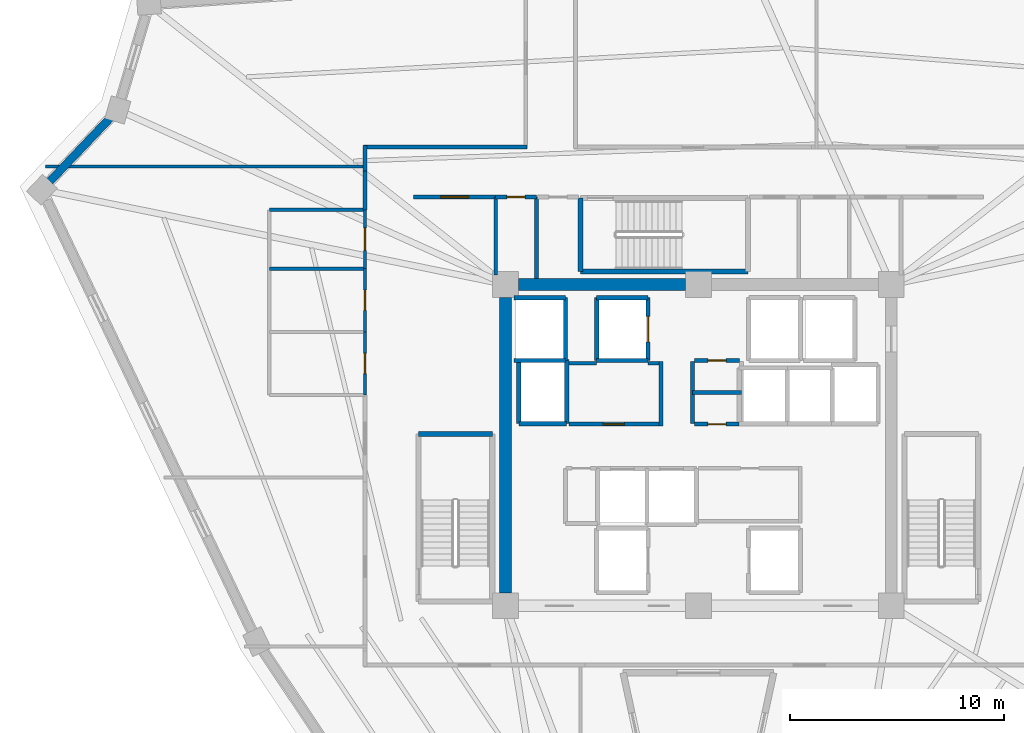
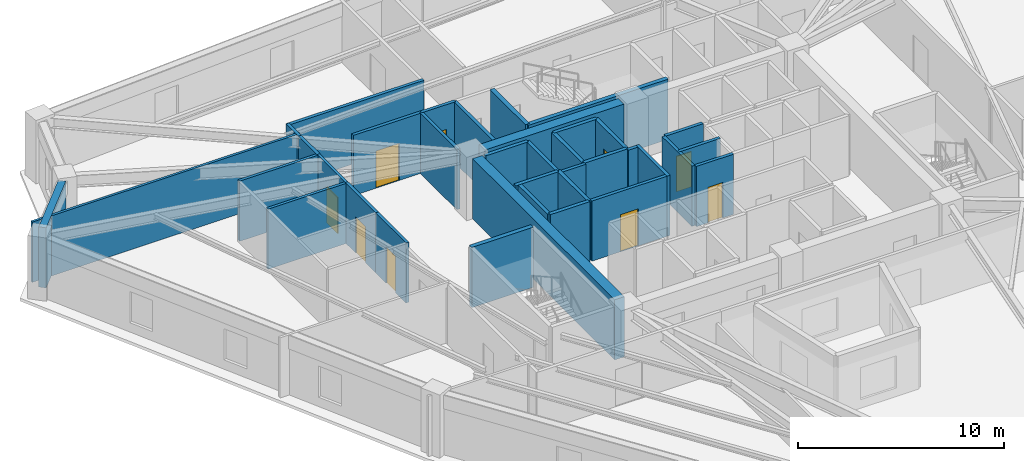
# One storey, part 5 of 10: 37 walls, 9 doors, 9 openings.
"""IFC4 building model written with IfcOpenShell, lengths in metres."""

import ifcopenshell
import ifcopenshell.guid

model = None  # the IFC model being written
_history = None  # IfcOwnerHistory: only IFC2X3 demands one
_inside = {}  # id of a spatial element -> (the spatial element, [elements in it])
_under = {}  # id of a project, library or spatial element -> (it, [spatial elements below it])
_declared = {}  # id of a project -> (the project, [libraries it declares])
_typed = {}  # id of a type object -> (the type object, [elements of that type])
_made_of = {}  # id of a material, layer set ... -> (it, [elements and type objects made of it])


def new_model(schema):
    """Start an empty IFC model of exactly this schema.

    Asked for "IFC4X3", IfcOpenShell would pick the latest addendum, in which some entities
    have other attributes; the version numbers below select the first issue.
    IFC2X3 requires an IfcOwnerHistory on every rooted entity: one is made here for all.
    """
    global model, _history
    if schema == "IFC4X3":
        model = ifcopenshell.file(schema_version=(4, 3, 0, 0))
    else:
        model = ifcopenshell.file(schema=schema)
    _inside.clear()
    _under.clear()
    _declared.clear()
    _typed.clear()
    _made_of.clear()
    _history = None
    if model.schema == "IFC2X3":
        org = make("IfcOrganization", Name="unknown")
        user = make(
            "IfcPersonAndOrganization",
            ThePerson=make("IfcPerson", FamilyName="unknown"),
            TheOrganization=org,
        )
        app = make(
            "IfcApplication",
            ApplicationDeveloper=org,
            Version="unknown",
            ApplicationFullName="unknown",
            ApplicationIdentifier="unknown",
        )
        _history = make(
            "IfcOwnerHistory",
            OwningUser=user,
            OwningApplication=app,
            ChangeAction="ADDED",
            CreationDate=0,
        )
    return model


def make(cls, **values):
    """One entity of the class cls with the attributes given. An attribute that is None is left unset."""
    return model.create_entity(
        cls, **{name: value for name, value in values.items() if value is not None}
    )


def rooted(cls, **values):
    """An entity with a GlobalId (a new one), such as an element, a storey or a relation."""
    return make(cls, GlobalId=ifcopenshell.guid.new(), OwnerHistory=_history, **values)


def si_unit(unit_type, name, prefix=None):
    """IfcSIUnit, for example si_unit("LENGTHUNIT", "METRE", prefix="MILLI")."""
    return make("IfcSIUnit", UnitType=unit_type, Prefix=prefix, Name=name)


def assignment(units):
    """IfcUnitAssignment: the units of a project."""
    return None if units is None else make("IfcUnitAssignment", Units=units)


def point(xyz):
    """IfcCartesianPoint."""
    return None if xyz is None else make("IfcCartesianPoint", Coordinates=xyz)


def direction(xyz):
    """IfcDirection."""
    return None if xyz is None else make("IfcDirection", DirectionRatios=xyz)


def frame(location, z_axis=None, x_axis=None):
    """IfcAxis2Placement3D, a coordinate frame: its origin and axes. An axis left out is left unset."""
    return make(
        "IfcAxis2Placement3D",
        Location=point(location),
        Axis=direction(z_axis),
        RefDirection=direction(x_axis),
    )


def frame_2d(location, x_axis=None):
    """IfcAxis2Placement2D, a coordinate frame in the plane: its origin and x axis."""
    return make(
        "IfcAxis2Placement2D", Location=point(location), RefDirection=direction(x_axis)
    )


def origin():
    """The frame at (0, 0, 0) with its axes left unset."""
    return frame((0.0, 0.0, 0.0))


def place(relative_to, where):
    """IfcLocalPlacement: puts the frame where relative to a parent placement (None: the world)."""
    return make(
        "IfcLocalPlacement", PlacementRelTo=relative_to, RelativePlacement=where
    )


def context(
    kind, dimensions, precision=None, world=None, true_north=None, identifier=None
):
    """IfcGeometricRepresentationContext, for example the 3D "Model" context."""
    return make(
        "IfcGeometricRepresentationContext",
        ContextIdentifier=identifier,
        ContextType=kind,
        CoordinateSpaceDimension=dimensions,
        Precision=precision,
        WorldCoordinateSystem=world,
        TrueNorth=true_north,
    )


def subcontext(parent, identifier, kind, view, scale=None):
    """IfcGeometricRepresentationSubContext, for example "Body" below "Model"."""
    return make(
        "IfcGeometricRepresentationSubContext",
        ContextIdentifier=identifier,
        ContextType=kind,
        ParentContext=parent,
        TargetScale=scale,
        TargetView=view,
    )


def project(units=None, contexts=None):
    """IfcProject with its units and contexts."""
    return rooted(
        "IfcProject",
        Name="project",
        RepresentationContexts=contexts,
        UnitsInContext=assignment(units),
    )


def spatial(cls, under=None, at=None, **own):
    """A site, building, storey or space (cls), placed at a placement, below another one or the project."""
    s = rooted(cls, ObjectPlacement=at, **own)
    if under is not None:
        _under.setdefault(under.id(), (under, []))[1].append(s)
    return s


def profile(cls, at=None, kind="AREA", **sizes):
    """A parametric profile (cls). Its sizes go by their IFC names, for example OverallWidth=200.0."""
    return make(cls, ProfileType=kind, Position=at, **sizes)


def rectangle(**sizes):
    """IfcRectangleProfileDef."""
    return profile("IfcRectangleProfileDef", **sizes)


def extrude(swept, where, along, depth):
    """IfcExtrudedAreaSolid: the profile swept, set in the frame where, extruded along a direction by depth."""
    return make(
        "IfcExtrudedAreaSolid",
        SweptArea=swept,
        Position=where,
        ExtrudedDirection=direction(along),
        Depth=depth,
    )


def shape(context_of_items, identifier, shape_type, items):
    """IfcShapeRepresentation: the items that make up one representation, for example the "Body"."""
    return make(
        "IfcShapeRepresentation",
        ContextOfItems=context_of_items,
        RepresentationIdentifier=identifier,
        RepresentationType=shape_type,
        Items=items,
    )


def source(mapping_origin, context_of_items, identifier, shape_type, items):
    """IfcRepresentationMap: a shape defined once, which mapped items show again and again."""
    return make(
        "IfcRepresentationMap",
        MappingOrigin=mapping_origin,
        MappedRepresentation=shape(context_of_items, identifier, shape_type, items),
    )


def transform(
    local_origin,
    x_axis=None,
    y_axis=None,
    z_axis=None,
    scale=None,
    scale2=None,
    scale3=None,
    uniform=True,
):
    """IfcCartesianTransformationOperator3D, or its non-uniform kind. x_axis, y_axis, z_axis: its Axis1, 2, 3."""
    if uniform:
        return make(
            "IfcCartesianTransformationOperator3D",
            Axis1=direction(x_axis),
            Axis2=direction(y_axis),
            LocalOrigin=point(local_origin),
            Scale=scale,
            Axis3=direction(z_axis),
        )
    return make(
        "IfcCartesianTransformationOperator3DnonUniform",
        Axis1=direction(x_axis),
        Axis2=direction(y_axis),
        LocalOrigin=point(local_origin),
        Scale=scale,
        Axis3=direction(z_axis),
        Scale2=scale2,
        Scale3=scale3,
    )


def mapped(mapping_source, mapping_target):
    """IfcMappedItem: shows the shape of a source again, moved by a transform."""
    return make(
        "IfcMappedItem", MappingSource=mapping_source, MappingTarget=mapping_target
    )


def material(Name=None, Category=None):
    """IfcMaterial."""
    return make("IfcMaterial", Name=Name, Category=Category)


def layer(
    of_material, thickness, ventilated=None, Name=None, Category=None, Priority=None
):
    """IfcMaterialLayer: one layer of a wall or slab, of a material (None: an air gap)."""
    return make(
        "IfcMaterialLayer",
        Material=of_material,
        LayerThickness=thickness,
        IsVentilated=ventilated,
        Name=Name,
        Category=Category,
        Priority=Priority,
    )


def layer_set(layers, Name=None):
    """IfcMaterialLayerSet."""
    return make("IfcMaterialLayerSet", MaterialLayers=layers, LayerSetName=Name)


def made_of(thing, what):
    """Note that an element or type object is made of a material, layer set ...; save() writes the relation."""
    if what is not None:
        _made_of.setdefault(what.id(), (what, []))[1].append(thing)
    return thing


def type_object(cls, material=None, **own):
    """A type object (cls), such as IfcWallType, which elements share."""
    return made_of(rooted(cls, **own), material)


def element(
    cls,
    number,
    at=None,
    inside=None,
    cuts=None,
    type_object=None,
    material=None,
    context=None,
    identifier="Body",
    shape_type=None,
    held_by="IfcProductDefinitionShape",
    body=None,
    shapes=None,
    **own,
):
    """One element of the class cls, such as IfcWall. Its Tag is "e" and its number.

    at: its placement. inside: the storey or other place that contains it. cuts: it is an
    opening in that element (IfcRelVoidsElement). A single representation is given by context,
    identifier, shape_type and body (its items); several are given by shapes. held_by: the class
    of the entity that holds the representations. save() writes the other relations.
    """
    e = rooted(cls, Tag="e%d" % number, ObjectPlacement=at, **own)
    if body is not None:
        shapes = [shape(context, identifier, shape_type, body)]
    if shapes is not None:
        e.Representation = make(held_by, Representations=shapes)
    if inside is not None:
        _inside.setdefault(inside.id(), (inside, []))[1].append(e)
    if cuts is not None:
        rooted(
            "IfcRelVoidsElement", RelatingBuildingElement=cuts, RelatedOpeningElement=e
        )
    if type_object is not None:
        _typed.setdefault(type_object.id(), (type_object, []))[1].append(e)
    return made_of(e, material)


def fill(opening, filler):
    """IfcRelFillsElement: the door or window that sits in an opening."""
    return rooted(
        "IfcRelFillsElement",
        RelatingOpeningElement=opening,
        RelatedBuildingElement=filler,
    )


def aggregate(whole, parts):
    """IfcRelAggregates: a whole, such as a stair, and the parts it consists of."""
    return rooted("IfcRelAggregates", RelatingObject=whole, RelatedObjects=parts)


def save(model, path):
    """Write the relations noted so far, then the file.

    IfcRelAggregates (storeys below a building ...), IfcRelContainedInSpatialStructure (elements
    in a storey), IfcRelDefinesByType, IfcRelAssociatesMaterial and IfcRelDeclares: one each for
    every whole, place, type object, material and project.
    """
    for whole, parts in _under.values():
        aggregate(whole, parts)
    for where, things in _inside.values():
        rooted(
            "IfcRelContainedInSpatialStructure",
            RelatedElements=things,
            RelatingStructure=where,
        )
    for kind, things in _typed.values():
        rooted("IfcRelDefinesByType", RelatedObjects=things, RelatingType=kind)
    for what, things in _made_of.values():
        rooted("IfcRelAssociatesMaterial", RelatedObjects=things, RelatingMaterial=what)
    for by, libraries in _declared.values():
        rooted("IfcRelDeclares", RelatingContext=by, RelatedDefinitions=libraries)
    model.write(path)


model = new_model("IFC4")

# Units and contexts
model_context = context("Model", 3, precision=1e-05, world=origin(), true_north=direction((0.0, 1.0)))
body_context = subcontext(model_context, "Body", "Model", "MODEL_VIEW")
ifc_project = project(units=[si_unit("LENGTHUNIT", "METRE"), si_unit("AREAUNIT", "SQUARE_METRE"), si_unit("VOLUMEUNIT", "CUBIC_METRE"), si_unit("PLANEANGLEUNIT", "RADIAN"), si_unit("MASSUNIT", "GRAM", prefix="KILO")], contexts=[model_context])

# Site, building, storey
site_placement = place(None, origin())
site = spatial("IfcSite", under=ifc_project, at=site_placement, CompositionType="ELEMENT")
building_placement = place(site_placement, origin())
building = spatial("IfcBuilding", under=site, at=building_placement, Name="Liaohun Quay Tower", CompositionType="ELEMENT")
storey_placement = place(building_placement, frame((0.0, 0.0, 286.5)))
storey = spatial("IfcBuildingStorey", under=building, at=storey_placement, Name="L74", CompositionType="ELEMENT", Elevation=286.5)

# Walls
ifc_material_1 = material(Name="Concrete C50", Category="concrete")
ifc_layer_1 = layer(ifc_material_1, 0.550048828125, Name="Concrete C50", Category="concrete")
ifc_layer_set_1 = layer_set([ifc_layer_1], Name="Concrete C50")
wall_type_1 = type_object("IfcWallType", Name="WAL-COR-Z4", PredefinedType="SHEAR", material=ifc_layer_set_1)
wall_1_placement = place(storey_placement, frame((51.60009765625, 61.5, 0.0), z_axis=(0.0, 0.0, 1.0), x_axis=(1.0, 0.0, 0.0)))
element("IfcWall", 1, at=wall_1_placement, inside=storey, type_object=wall_type_1, Name="L74 Central Core Shear Wall N-W", PredefinedType="SHEAR", context=body_context, shape_type="SweptSolid", body=[
    extrude(rectangle(XDim=7.7998046875, YDim=0.550048828125, at=frame_2d((3.89990234375, 0.0))), origin(), (0.0, 0.0, 1.0), 3.570068359375),
])
wall_2_placement = place(storey_placement, frame((51.0, 47.10009765625, 0.0), z_axis=(0.0, 0.0, 1.0), x_axis=(0.0, 1.0, 0.0)))
element("IfcWall", 2, at=wall_2_placement, inside=storey, type_object=wall_type_1, Name="L74 Central Core Shear Wall W", PredefinedType="SHEAR", context=body_context, shape_type="SweptSolid", body=[
    extrude(rectangle(XDim=13.7998046875, YDim=0.550048828125, at=frame_2d((6.89990234375, 0.0))), origin(), (0.0, 0.0, 1.0), 3.570068359375),
])
ifc_material_2 = material(Name="Precast concrete C50 insulated sandwich", Category="concrete")
ifc_layer_2 = layer(ifc_material_2, 0.3798828125, Name="Precast concrete C50 insulated sandwich", Category="concrete")
ifc_layer_set_2 = layer_set([ifc_layer_2], Name="Precast concrete C50 insulated sandwich")
wall_type_2 = type_object("IfcWallType", Name="WAL-EXT-Z34", PredefinedType="SOLIDWALL", material=ifc_layer_set_2)
wall_3_placement = place(storey_placement, frame((32.531982421875, 69.2529296875, 0.0), z_axis=(0.0, 0.0, 1.0), x_axis=(-0.689320656659, -0.724456370186, 0.0)))
element("IfcWall", 3, at=wall_3_placement, inside=storey, type_object=wall_type_2, Name="L74 Brutalist Precast Pier Wall 09", PredefinedType="SOLIDWALL", context=body_context, shape_type="SweptSolid", body=[
    extrude(rectangle(XDim=4.06494140625, YDim=0.3798828125, at=frame_2d((2.032470703125, 0.0))), origin(), (0.0, 0.0, 1.0), 3.570068359375),
])

# Wall, opening, door
ifc_material_3 = material(Name="Autoclaved aerated concrete blockwork", Category="masonry")
ifc_layer_3 = layer(ifc_material_3, 0.179931640625, Name="Autoclaved aerated concrete blockwork", Category="masonry")
ifc_layer_set_3 = layer_set([ifc_layer_3], Name="Autoclaved aerated concrete blockwork")
wall_type_3 = type_object("IfcWallType", Name="WAL-PRT-COR", PredefinedType="PARTITIONING", material=ifc_layer_set_3)
wall_4_placement = place(storey_placement, frame((53.949951171875, 54.97998046875, 0.0), z_axis=(0.0, 0.0, 1.0), x_axis=(1.0, 0.0, 0.0)))
wall_4 = element("IfcWall", 4, at=wall_4_placement, inside=storey, type_object=wall_type_3, Name="L74 Interior Partition Wall 002", PredefinedType="PARTITIONING", context=body_context, shape_type="SweptSolid", body=[
    extrude(rectangle(XDim=4.2099609375, YDim=0.179931640625, at=frame_2d((2.10498046875, 0.0))), origin(), (0.0, 0.0, 1.0), 3.570068359375),
])
shared_shape_1 = source(origin(), body_context, "Body", "SweptSolid", [
    extrude(rectangle(XDim=1.0, YDim=2.199951171875, at=frame_2d((0.5, 1.10009765625))), frame((0.0, 0.099853515625, 0.0), z_axis=(0.0, -1.0, 0.0), x_axis=(1.0, 0.0, 0.0)), (0.0, 0.0, 1.0), 0.199951171875),
])
opening_1_placement = place(wall_4_placement, frame((1.60009765625, 0.0, 0.0)))
opening_1 = element("IfcOpeningElement", 5, at=opening_1_placement, cuts=wall_4, Name="Opening OD1", PredefinedType="OPENING", context=body_context, shape_type="MappedRepresentation", body=[
    mapped(shared_shape_1, transform((0.0, 0.0, 0.0), x_axis=(1.0, 0.0, 0.0), y_axis=(0.0, 1.0, 0.0), z_axis=(0.0, 0.0, 1.0), scale=1.0)),
])
ifc_material_4 = material(Name="Solid-core oak veneer timber leaf in steel frame", Category="steel")
door_type_1 = type_object("IfcDoorType", Name="DOR-OFF-1000", OperationType="NOTDEFINED", PredefinedType="DOOR", material=ifc_material_4)
shared_shape_2 = source(origin(), body_context, "Body", "SweptSolid", [
    extrude(rectangle(XDim=1.0, YDim=2.199951171875, at=frame_2d((0.5, 1.10009765625))), frame((0.0, 0.02490234375, 0.0), z_axis=(0.0, -1.0, 0.0), x_axis=(1.0, 0.0, 0.0)), (0.0, 0.0, 1.0), 0.050048828125),
])
door_1_placement = place(opening_1_placement, origin())
door_1 = element("IfcDoor", 6, at=door_1_placement, inside=storey, type_object=door_type_1, Name="L74 Core Staff Pantry and Tea Room Door", OperationType="SINGLE_SWING_LEFT", OverallHeight=2.199951171875, OverallWidth=1.0, PredefinedType="DOOR", context=body_context, shape_type="MappedRepresentation", body=[
    mapped(shared_shape_2, transform((0.0, 0.0, 0.0), x_axis=(1.0, 0.0, 0.0), y_axis=(0.0, 1.0, 0.0), z_axis=(0.0, 0.0, 1.0), scale=1.0)),
])
fill(opening_1, door_1)

wall_5_placement = place(storey_placement, frame((59.81005859375, 54.97998046875, 0.0), z_axis=(0.0, 0.0, 1.0), x_axis=(1.0, 0.0, 0.0)))
wall_5 = element("IfcWall", 7, at=wall_5_placement, inside=storey, type_object=wall_type_3, Name="L74 Interior Partition Wall 003", PredefinedType="PARTITIONING", context=body_context, shape_type="SweptSolid", body=[
    extrude(rectangle(XDim=2.08984375, YDim=0.179931640625, at=frame_2d((1.044921875, 0.0))), origin(), (0.0, 0.0, 1.0), 3.570068359375),
])
shared_shape_3 = source(origin(), body_context, "Body", "SweptSolid", [
    extrude(rectangle(XDim=0.85009765625, YDim=2.10009765625, at=frame_2d((0.425048828125, 1.050048828125))), frame((0.0, 0.099853515625, 0.0), z_axis=(0.0, -1.0, 0.0), x_axis=(1.0, 0.0, 0.0)), (0.0, 0.0, 1.0), 0.199951171875),
])
opening_2_placement = place(wall_5_placement, frame((0.635009765625, 0.0, 0.0)))
opening_2 = element("IfcOpeningElement", 8, at=opening_2_placement, cuts=wall_5, Name="Opening AD1", PredefinedType="OPENING", context=body_context, shape_type="MappedRepresentation", body=[
    mapped(shared_shape_3, transform((0.0, 0.0, 0.0), x_axis=(1.0, 0.0, 0.0), y_axis=(0.0, 1.0, 0.0), z_axis=(0.0, 0.0, 1.0), scale=1.0)),
])
ifc_material_5 = material(Name="Steel riser inspection fire door", Category="steel")
door_type_2 = type_object("IfcDoorType", Name="DOR-SHF-850", OperationType="NOTDEFINED", PredefinedType="DOOR", material=ifc_material_5)
shared_shape_4 = source(origin(), body_context, "Body", "SweptSolid", [
    extrude(rectangle(XDim=0.85009765625, YDim=2.10009765625, at=frame_2d((0.425048828125, 1.050048828125))), frame((0.0, 0.02490234375, 0.0), z_axis=(0.0, -1.0, 0.0), x_axis=(1.0, 0.0, 0.0)), (0.0, 0.0, 1.0), 0.050048828125),
])
door_2_placement = place(opening_2_placement, origin())
door_2 = element("IfcDoor", 9, at=door_2_placement, inside=storey, type_object=door_type_2, Name="L74 Electrical Riser Room Door", OperationType="SINGLE_SWING_RIGHT", OverallHeight=2.10009765625, OverallWidth=0.85009765625, PredefinedType="DOOR", context=body_context, shape_type="MappedRepresentation", body=[
    mapped(shared_shape_4, transform((0.0, 0.0, 0.0), x_axis=(1.0, 0.0, 0.0), y_axis=(0.0, 1.0, 0.0), z_axis=(0.0, 0.0, 1.0), scale=1.0)),
])
fill(opening_2, door_2)

wall_6_placement = place(storey_placement, frame((59.81005859375, 57.949951171875, 0.0), z_axis=(0.0, 0.0, 1.0), x_axis=(1.0, 0.0, 0.0)))
wall_6 = element("IfcWall", 10, at=wall_6_placement, inside=storey, type_object=wall_type_3, Name="L74 Interior Partition Wall 004", PredefinedType="PARTITIONING", context=body_context, shape_type="SweptSolid", body=[
    extrude(rectangle(XDim=2.10986328125, YDim=0.179931640625, at=frame_2d((1.054931640625, 0.0))), origin(), (0.0, 0.0, 1.0), 3.570068359375),
])
opening_3_placement = place(wall_6_placement, frame((0.635009765625, 0.0, 0.0)))
opening_3 = element("IfcOpeningElement", 11, at=opening_3_placement, cuts=wall_6, Name="Opening AD1", PredefinedType="OPENING", context=body_context, shape_type="MappedRepresentation", body=[
    mapped(shared_shape_3, transform((0.0, 0.0, 0.0), x_axis=(1.0, 0.0, 0.0), y_axis=(0.0, 1.0, 0.0), z_axis=(0.0, 0.0, 1.0), scale=1.0)),
])
door_3_placement = place(opening_3_placement, origin())
door_3 = element("IfcDoor", 12, at=door_3_placement, inside=storey, type_object=door_type_2, Name="L74 Telecom Comms Closet Door", OperationType="SINGLE_SWING_LEFT", OverallHeight=2.10009765625, OverallWidth=0.85009765625, PredefinedType="DOOR", context=body_context, shape_type="MappedRepresentation", body=[
    mapped(shared_shape_4, transform((0.0, 0.0, 0.0), x_axis=(1.0, 0.0, 0.0), y_axis=(0.0, 1.0, 0.0), z_axis=(0.0, 0.0, 1.0), scale=1.0)),
])
fill(opening_3, door_3)

wall_7_placement = place(storey_placement, frame((50.5400390625, 65.580078125, 0.0), z_axis=(0.0, 0.0, 1.0), x_axis=(1.0, 0.0, 0.0)))
wall_7 = element("IfcWall", 13, at=wall_7_placement, inside=storey, type_object=wall_type_3, Name="L74 Interior Partition Wall 009", PredefinedType="PARTITIONING", context=body_context, shape_type="SweptSolid", body=[
    extrude(rectangle(XDim=1.89990234375, YDim=0.179931640625, at=frame_2d((0.949951171875, 0.0))), origin(), (0.0, 0.0, 1.0), 3.570068359375),
])
opening_4_placement = place(wall_7_placement, frame((0.52490234375, 0.0, 0.0)))
opening_4 = element("IfcOpeningElement", 14, at=opening_4_placement, cuts=wall_7, Name="Opening AD1", PredefinedType="OPENING", context=body_context, shape_type="MappedRepresentation", body=[
    mapped(shared_shape_3, transform((0.0, 0.0, 0.0), x_axis=(1.0, 0.0, 0.0), y_axis=(0.0, 1.0, 0.0), z_axis=(0.0, 0.0, 1.0), scale=1.0)),
])
door_4_placement = place(opening_4_placement, origin())
door_4 = element("IfcDoor", 15, at=door_4_placement, inside=storey, type_object=door_type_2, Name="L74 North-West Riser Closet Door", OperationType="SINGLE_SWING_RIGHT", OverallHeight=2.10009765625, OverallWidth=0.85009765625, PredefinedType="DOOR", context=body_context, shape_type="MappedRepresentation", body=[
    mapped(shared_shape_4, transform((0.0, 0.0, 0.0), x_axis=(1.0, 0.0, 0.0), y_axis=(0.0, 1.0, 0.0), z_axis=(0.0, 0.0, 1.0), scale=1.0)),
])
fill(opening_4, door_4)

wall_8_placement = place(storey_placement, frame((46.699951171875, 65.580078125, 0.0), z_axis=(0.0, 0.0, 1.0), x_axis=(1.0, 0.0, 0.0)))
wall_8 = element("IfcWall", 16, at=wall_8_placement, inside=storey, type_object=wall_type_3, Name="L74 Interior Partition Wall 014", PredefinedType="PARTITIONING", context=body_context, shape_type="SweptSolid", body=[
    extrude(rectangle(XDim=3.840087890625, YDim=0.179931640625, at=frame_2d((1.919921875, 0.0))), origin(), (0.0, 0.0, 1.0), 3.570068359375),
])
shared_shape_5 = source(origin(), body_context, "Body", "SweptSolid", [
    extrude(rectangle(XDim=1.300048828125, YDim=2.199951171875, at=frame_2d((0.64990234375, 1.10009765625))), frame((0.0, 0.099853515625, 0.0), z_axis=(0.0, -1.0, 0.0), x_axis=(1.0, 0.0, 0.0)), (0.0, 0.0, 1.0), 0.199951171875),
])
opening_5_placement = place(wall_8_placement, frame((1.27001953125, 0.0, 0.0)))
opening_5 = element("IfcOpeningElement", 17, at=opening_5_placement, cuts=wall_8, Name="Opening FD1", PredefinedType="OPENING", context=body_context, shape_type="MappedRepresentation", body=[
    mapped(shared_shape_5, transform((0.0, 0.0, 0.0), x_axis=(1.0, 0.0, 0.0), y_axis=(0.0, 1.0, 0.0), z_axis=(0.0, 0.0, 1.0), scale=1.0)),
])
ifc_material_6 = material(Name="Galvanised steel smokeproof fire door", Category="steel")
door_type_3 = type_object("IfcDoorType", Name="DOR-FFL-1300", OperationType="NOTDEFINED", PredefinedType="DOOR", material=ifc_material_6)
shared_shape_6 = source(origin(), body_context, "Body", "SweptSolid", [
    extrude(rectangle(XDim=1.300048828125, YDim=2.199951171875, at=frame_2d((0.64990234375, 1.10009765625))), frame((0.0, 0.02490234375, 0.0), z_axis=(0.0, -1.0, 0.0), x_axis=(1.0, 0.0, 0.0)), (0.0, 0.0, 1.0), 0.050048828125),
])
door_5_placement = place(opening_5_placement, origin())
door_5 = element("IfcDoor", 18, at=door_5_placement, inside=storey, type_object=door_type_3, Name="L74 West Core Vestibule Door", OperationType="SINGLE_SWING_LEFT", OverallHeight=2.199951171875, OverallWidth=1.300048828125, PredefinedType="DOOR", context=body_context, shape_type="MappedRepresentation", body=[
    mapped(shared_shape_6, transform((0.0, 0.0, 0.0), x_axis=(1.0, 0.0, 0.0), y_axis=(0.0, 1.0, 0.0), z_axis=(0.0, 0.0, 1.0), scale=1.0)),
])
fill(opening_5, door_5)

# Walls
wall_9_placement = place(storey_placement, frame((59.719970703125, 55.02001953125, 0.0), z_axis=(0.0, 0.0, 1.0), x_axis=(0.0, 1.0, 0.0)))
element("IfcWall", 19, at=wall_9_placement, inside=storey, type_object=wall_type_3, Name="L74 Interior Partition Wall 026", PredefinedType="PARTITIONING", context=body_context, shape_type="SweptSolid", body=[
    extrude(rectangle(XDim=2.8798828125, YDim=0.179931640625, at=frame_2d((1.43994140625, 0.0))), origin(), (0.0, 0.0, 1.0), 3.570068359375),
])
wall_10_placement = place(storey_placement, frame((59.719970703125, 56.4599609375, 0.0), z_axis=(0.0, 0.0, 1.0), x_axis=(1.0, 0.0, 0.0)))
element("IfcWall", 20, at=wall_10_placement, inside=storey, type_object=wall_type_3, Name="L74 Interior Partition Wall 028", PredefinedType="PARTITIONING", context=body_context, shape_type="SweptSolid", body=[
    extrude(rectangle(XDim=2.2900390625, YDim=0.179931640625, at=frame_2d((1.14501953125, 0.0))), origin(), (0.0, 0.0, 1.0), 3.570068359375),
])
wall_11_placement = place(storey_placement, frame((50.5400390625, 61.949951171875, 0.0), z_axis=(0.0, 0.0, 1.0), x_axis=(0.0, 1.0, 0.0)))
element("IfcWall", 21, at=wall_11_placement, inside=storey, type_object=wall_type_3, Name="L74 Interior Partition Wall 036", PredefinedType="PARTITIONING", context=body_context, shape_type="SweptSolid", body=[
    extrude(rectangle(XDim=3.630126953125, YDim=0.179931640625, at=frame_2d((1.81494140625, 0.0))), origin(), (0.0, 0.0, 1.0), 3.570068359375),
])
wall_12_placement = place(storey_placement, frame((52.43994140625, 61.77490234375, 0.0), z_axis=(0.0, 0.0, 1.0), x_axis=(0.0, 1.0, 0.0)))
element("IfcWall", 22, at=wall_12_placement, inside=storey, type_object=wall_type_3, Name="L74 Interior Partition Wall 037", PredefinedType="PARTITIONING", context=body_context, shape_type="SweptSolid", body=[
    extrude(rectangle(XDim=3.80517578125, YDim=0.179931640625, at=frame_2d((1.902587890625, 0.0))), origin(), (0.0, 0.0, 1.0), 3.570068359375),
])
wall_13_placement = place(storey_placement, frame((44.3701171875, 67.909912109375, 0.0), z_axis=(0.0, 0.0, 1.0), x_axis=(1.0, 0.0, 0.0)))
element("IfcWall", 23, at=wall_13_placement, inside=storey, type_object=wall_type_3, Name="L74 Interior Partition Wall 043", PredefinedType="PARTITIONING", context=body_context, shape_type="SweptSolid", body=[
    extrude(rectangle(XDim=7.639892578125, YDim=0.179931640625, at=frame_2d((3.81982421875, 0.0))), origin(), (0.0, 0.0, 1.0), 3.570068359375),
])
wall_14_placement = place(storey_placement, frame((44.43994140625, 66.784912109375, 0.0), z_axis=(0.0, 0.0, 1.0), x_axis=(0.0, 1.0, 0.0)))
element("IfcWall", 24, at=wall_14_placement, inside=storey, type_object=wall_type_3, Name="L74 Interior Partition Wall 044", PredefinedType="PARTITIONING", context=body_context, shape_type="SweptSolid", body=[
    extrude(rectangle(XDim=1.195068359375, YDim=0.179931640625, at=frame_2d((0.59765625, 0.0))), origin(), (0.0, 0.0, 1.0), 3.570068359375),
])
wall_15_placement = place(storey_placement, frame((44.43994140625, 64.97998046875, 0.0), z_axis=(0.0, 0.0, 1.0), x_axis=(0.0, 1.0, 0.0)))
element("IfcWall", 25, at=wall_15_placement, inside=storey, type_object=wall_type_3, Name="L74 Interior Partition Wall 045", PredefinedType="PARTITIONING", context=body_context, shape_type="SweptSolid", body=[
    extrude(rectangle(XDim=1.804931640625, YDim=0.179931640625, at=frame_2d((0.90234375, 0.0))), origin(), (0.0, 0.0, 1.0), 3.570068359375),
])
wall_16_placement = place(storey_placement, frame((58.25, 54.889892578125, 0.0), z_axis=(0.0, 0.0, 1.0), x_axis=(0.0, 1.0, 0.0)))
element("IfcWall", 26, at=wall_16_placement, inside=storey, type_object=wall_type_3, Name="L74 Interior Partition Wall 060", PredefinedType="PARTITIONING", context=body_context, shape_type="SweptSolid", body=[
    extrude(rectangle(XDim=3.02001953125, YDim=0.179931640625, at=frame_2d((1.510009765625, 0.0))), origin(), (0.0, 0.0, 1.0), 3.570068359375),
])
wall_17_placement = place(storey_placement, frame((53.949951171875, 57.820068359375, 0.0), z_axis=(0.0, 0.0, 1.0), x_axis=(1.0, 0.0, 0.0)))
element("IfcWall", 27, at=wall_17_placement, inside=storey, type_object=wall_type_3, Name="L74 Interior Partition Wall 061", PredefinedType="PARTITIONING", context=body_context, shape_type="SweptSolid", body=[
    extrude(rectangle(XDim=1.300048828125, YDim=0.179931640625, at=frame_2d((0.64990234375, 0.0))), origin(), (0.0, 0.0, 1.0), 3.570068359375),
])
wall_18_placement = place(storey_placement, frame((57.64990234375, 57.820068359375, 0.0), z_axis=(0.0, 0.0, 1.0), x_axis=(1.0, 0.0, 0.0)))
element("IfcWall", 28, at=wall_18_placement, inside=storey, type_object=wall_type_3, Name="L74 Interior Partition Wall 062", PredefinedType="PARTITIONING", context=body_context, shape_type="SweptSolid", body=[
    extrude(rectangle(XDim=0.510009765625, YDim=0.179931640625, at=frame_2d((0.2548828125, 0.0))), origin(), (0.0, 0.0, 1.0), 3.570068359375),
])
ifc_material_7 = material(Name="Gypsum board on twin steel studs", Category="steel")
ifc_layer_4 = layer(ifc_material_7, 0.139892578125, Name="Gypsum board on twin steel studs", Category="steel")
ifc_layer_set_4 = layer_set([ifc_layer_4], Name="Gypsum board on twin steel studs")
wall_type_4 = type_object("IfcWallType", Name="WAL-PRT-OFF", PredefinedType="PARTITIONING", material=ifc_layer_set_4)
wall_19_placement = place(storey_placement, frame((44.5400390625, 67.0, 0.0), z_axis=(0.0, 0.0, 1.0), x_axis=(-1.0, 0.0, 0.0)))
element("IfcWall", 29, at=wall_19_placement, inside=storey, type_object=wall_type_4, Name="L74 Interior Partition Wall 052", PredefinedType="PARTITIONING", context=body_context, shape_type="SweptSolid", body=[
    extrude(rectangle(XDim=15.02099609375, YDim=0.139892578125, at=frame_2d((7.510498046875, 0.0))), origin(), (0.0, 0.0, 1.0), 3.570068359375),
])

# Wall, opening, door
ifc_material_8 = material(Name="Moisture-resistant masonry blockwork", Category="masonry")
ifc_layer_5 = layer(ifc_material_8, 0.159912109375, Name="Moisture-resistant masonry blockwork", Category="masonry")
ifc_layer_set_5 = layer_set([ifc_layer_5], Name="Moisture-resistant masonry blockwork")
wall_type_5 = type_object("IfcWallType", Name="WAL-PRT-WET", PredefinedType="PARTITIONING", material=ifc_layer_set_5)
wall_20_placement = place(storey_placement, frame((44.43994140625, 56.340087890625, 0.0), z_axis=(0.0, 0.0, 1.0), x_axis=(0.0, 1.0, 0.0)))
wall_20 = element("IfcWall", 30, at=wall_20_placement, inside=storey, type_object=wall_type_5, Name="L74 Interior Partition Wall 006", PredefinedType="PARTITIONING", context=body_context, shape_type="SweptSolid", body=[
    extrude(rectangle(XDim=2.93994140625, YDim=0.159912109375, at=frame_2d((1.469970703125, 0.0))), origin(), (0.0, 0.0, 1.0), 3.570068359375),
])
shared_shape_7 = source(origin(), body_context, "Body", "SweptSolid", [
    extrude(rectangle(XDim=0.949951171875, YDim=2.14990234375, at=frame_2d((0.47509765625, 1.074951171875))), frame((0.0, 0.08984375, 0.0), z_axis=(0.0, -1.0, 0.0), x_axis=(1.0, 0.0, 0.0)), (0.0, 0.0, 1.0), 0.179931640625),
])
opening_6_placement = place(wall_20_placement, frame((0.9951171875, 0.0, 0.0)))
opening_6 = element("IfcOpeningElement", 31, at=opening_6_placement, cuts=wall_20, Name="Opening WD1", PredefinedType="OPENING", context=body_context, shape_type="MappedRepresentation", body=[
    mapped(shared_shape_7, transform((0.0, 0.0, 0.0), x_axis=(1.0, 0.0, 0.0), y_axis=(0.0, 1.0, 0.0), z_axis=(0.0, 0.0, 1.0), scale=1.0)),
])
ifc_material_9 = material(Name="Moisture-resistant laminate timber leaf", Category="wood")
door_type_4 = type_object("IfcDoorType", Name="DOR-WC-950", OperationType="NOTDEFINED", PredefinedType="DOOR", material=ifc_material_9)
shared_shape_8 = source(origin(), body_context, "Body", "SweptSolid", [
    extrude(rectangle(XDim=0.949951171875, YDim=2.14990234375, at=frame_2d((0.47509765625, 1.074951171875))), frame((0.0, 0.02490234375, 0.0), z_axis=(0.0, -1.0, 0.0), x_axis=(1.0, 0.0, 0.0)), (0.0, 0.0, 1.0), 0.050048828125),
])
door_6_placement = place(opening_6_placement, origin())
door_6 = element("IfcDoor", 32, at=door_6_placement, inside=storey, type_object=door_type_4, Name="L74 Male Restroom WC Door", OperationType="SINGLE_SWING_LEFT", OverallHeight=2.14990234375, OverallWidth=0.949951171875, PredefinedType="DOOR", context=body_context, shape_type="MappedRepresentation", body=[
    mapped(shared_shape_8, transform((0.0, 0.0, 0.0), x_axis=(1.0, 0.0, 0.0), y_axis=(0.0, 1.0, 0.0), z_axis=(0.0, 0.0, 1.0), scale=1.0)),
])
fill(opening_6, door_6)

wall_21_placement = place(storey_placement, frame((44.43994140625, 59.280029296875, 0.0), z_axis=(0.0, 0.0, 1.0), x_axis=(0.0, 1.0, 0.0)))
wall_21 = element("IfcWall", 33, at=wall_21_placement, inside=storey, type_object=wall_type_5, Name="L74 Interior Partition Wall 007", PredefinedType="PARTITIONING", context=body_context, shape_type="SweptSolid", body=[
    extrude(rectangle(XDim=2.9599609375, YDim=0.159912109375, at=frame_2d((1.47998046875, 0.0))), origin(), (0.0, 0.0, 1.0), 3.570068359375),
])
opening_7_placement = place(wall_21_placement, frame((1.0048828125, 0.0, 0.0)))
opening_7 = element("IfcOpeningElement", 34, at=opening_7_placement, cuts=wall_21, Name="Opening WD1", PredefinedType="OPENING", context=body_context, shape_type="MappedRepresentation", body=[
    mapped(shared_shape_7, transform((0.0, 0.0, 0.0), x_axis=(1.0, 0.0, 0.0), y_axis=(0.0, 1.0, 0.0), z_axis=(0.0, 0.0, 1.0), scale=1.0)),
])
door_7_placement = place(opening_7_placement, origin())
door_7 = element("IfcDoor", 35, at=door_7_placement, inside=storey, type_object=door_type_4, Name="L74 Female Restroom WC Door", OperationType="SINGLE_SWING_RIGHT", OverallHeight=2.14990234375, OverallWidth=0.949951171875, PredefinedType="DOOR", context=body_context, shape_type="MappedRepresentation", body=[
    mapped(shared_shape_8, transform((0.0, 0.0, 0.0), x_axis=(1.0, 0.0, 0.0), y_axis=(0.0, 1.0, 0.0), z_axis=(0.0, 0.0, 1.0), scale=1.0)),
])
fill(opening_7, door_7)

wall_22_placement = place(storey_placement, frame((44.43994140625, 62.239990234375, 0.0), z_axis=(0.0, 0.0, 1.0), x_axis=(0.0, 1.0, 0.0)))
wall_22 = element("IfcWall", 36, at=wall_22_placement, inside=storey, type_object=wall_type_5, Name="L74 Interior Partition Wall 008", PredefinedType="PARTITIONING", context=body_context, shape_type="SweptSolid", body=[
    extrude(rectangle(XDim=2.739990234375, YDim=0.159912109375, at=frame_2d((1.3701171875, 0.0))), origin(), (0.0, 0.0, 1.0), 3.570068359375),
])
shared_shape_9 = source(origin(), body_context, "Body", "SweptSolid", [
    extrude(rectangle(XDim=1.050048828125, YDim=2.14990234375, at=frame_2d((0.52490234375, 1.074951171875))), frame((0.0, 0.08984375, 0.0), z_axis=(0.0, -1.0, 0.0), x_axis=(1.0, 0.0, 0.0)), (0.0, 0.0, 1.0), 0.179931640625),
])
opening_8_placement = place(wall_22_placement, frame((0.844970703125, 0.0, 0.0)))
opening_8 = element("IfcOpeningElement", 37, at=opening_8_placement, cuts=wall_22, Name="Opening WD2", PredefinedType="OPENING", context=body_context, shape_type="MappedRepresentation", body=[
    mapped(shared_shape_9, transform((0.0, 0.0, 0.0), x_axis=(1.0, 0.0, 0.0), y_axis=(0.0, 1.0, 0.0), z_axis=(0.0, 0.0, 1.0), scale=1.0)),
])
ifc_material_10 = material(Name="Accessible outward-swinging laminate door")
door_type_5 = type_object("IfcDoorType", Name="DOR-AWC-1050", OperationType="NOTDEFINED", PredefinedType="DOOR", material=ifc_material_10)
shared_shape_10 = source(origin(), body_context, "Body", "SweptSolid", [
    extrude(rectangle(XDim=1.050048828125, YDim=2.14990234375, at=frame_2d((0.52490234375, 1.074951171875))), frame((0.0, 0.02490234375, 0.0), z_axis=(0.0, -1.0, 0.0), x_axis=(1.0, 0.0, 0.0)), (0.0, 0.0, 1.0), 0.050048828125),
])
door_8_placement = place(opening_8_placement, origin())
door_8 = element("IfcDoor", 38, at=door_8_placement, inside=storey, type_object=door_type_5, Name="L74 Accessible WC Door", OperationType="SINGLE_SWING_LEFT", OverallHeight=2.14990234375, OverallWidth=1.050048828125, PredefinedType="DOOR", context=body_context, shape_type="MappedRepresentation", body=[
    mapped(shared_shape_10, transform((0.0, 0.0, 0.0), x_axis=(1.0, 0.0, 0.0), y_axis=(0.0, 1.0, 0.0), z_axis=(0.0, 0.0, 1.0), scale=1.0)),
])
fill(opening_8, door_8)

# Walls
for number, where, z_axis, x_axis, name in (
    (39, (39.97998046875, 62.239990234375, 0.0), (0.0, 0.0, 1.0), (1.0, 0.0, 0.0), "L74 Interior Partition Wall 034"),
    (40, (39.97998046875, 64.97998046875, 0.0), (0.0, 0.0, 1.0), (1.0, 0.0, 0.0), "L74 Interior Partition Wall 035"),
):
    element("IfcWall", number, at=place(storey_placement, frame(where, z_axis=z_axis, x_axis=x_axis)), inside=storey, type_object=wall_type_5, Name=name, PredefinedType="PARTITIONING", context=body_context, shape_type="SweptSolid", body=[
        extrude(rectangle(XDim=4.4599609375, YDim=0.159912109375, at=frame_2d((2.22998046875, 0.0))), origin(), (0.0, 0.0, 1.0), 3.570068359375),
    ])
ifc_layer_6 = layer(ifc_material_1, 0.239990234375, Name="Concrete C50", Category="concrete")
ifc_layer_set_6 = layer_set([ifc_layer_6], Name="Concrete C50")
wall_type_6 = type_object("IfcWallType", Name="WAL-SHF-200", PredefinedType="SOLIDWALL", material=ifc_layer_set_6)
wall_23_placement = place(storey_placement, frame((50.3798828125, 54.52001953125, 0.0), z_axis=(0.0, 0.0, 1.0), x_axis=(-1.0, 0.0, 0.0)))
element("IfcWall", 41, at=wall_23_placement, inside=storey, type_object=wall_type_6, Name="L74 Stairwell ST-1 Structural Core Wall N", PredefinedType="SOLIDWALL", context=body_context, shape_type="SweptSolid", body=[
    extrude(rectangle(XDim=3.43994140625, YDim=0.239990234375, at=frame_2d((1.719970703125, 0.0))), origin(), (0.0, 0.0, 1.0), 3.570068359375),
])
wall_24_placement = place(storey_placement, frame((54.5, 62.10009765625, 0.0), z_axis=(0.0, 0.0, 1.0), x_axis=(1.0, 0.0, 0.0)))
element("IfcWall", 42, at=wall_24_placement, inside=storey, type_object=wall_type_6, Name="L74 Stairwell ST-3 Structural Core Wall S", PredefinedType="SOLIDWALL", context=body_context, shape_type="SweptSolid", body=[
    extrude(rectangle(XDim=7.820068359375, YDim=0.239990234375, at=frame_2d((3.91015625, 0.0))), origin(), (0.0, 0.0, 1.0), 3.570068359375),
])
wall_25_placement = place(storey_placement, frame((54.5, 65.5400390625, 0.0), z_axis=(0.0, 0.0, 1.0), x_axis=(0.0, -1.0, 0.0)))
element("IfcWall", 43, at=wall_25_placement, inside=storey, type_object=wall_type_6, Name="L74 Stairwell ST-3 Structural Core Wall W", PredefinedType="SOLIDWALL", context=body_context, shape_type="SweptSolid", body=[
    extrude(rectangle(XDim=3.43994140625, YDim=0.239990234375, at=frame_2d((1.719970703125, 0.0))), origin(), (0.0, 0.0, 1.0), 3.570068359375),
])
wall_26_placement = place(storey_placement, frame((55.25, 57.949951171875, 0.0), z_axis=(0.0, 0.0, 1.0), x_axis=(1.0, 0.0, 0.0)))
element("IfcWall", 44, at=wall_26_placement, inside=storey, type_object=wall_type_6, Name="L74 Lift FF-03 Hoistway Wall S", PredefinedType="SOLIDWALL", context=body_context, shape_type="SweptSolid", body=[
    extrude(rectangle(XDim=2.39990234375, YDim=0.199951171875, at=frame_2d((1.199951171875, 0.0))), origin(), (0.0, 0.0, 1.0), 3.570068359375),
])

# Wall, opening, door
wall_27_placement = place(storey_placement, frame((57.64990234375, 57.949951171875, 0.0), z_axis=(0.0, 0.0, 1.0), x_axis=(0.0, 1.0, 0.0)))
wall_27 = element("IfcWall", 45, at=wall_27_placement, inside=storey, type_object=wall_type_6, Name="L74 Lift FF-03 Hoistway Wall E", PredefinedType="SOLIDWALL", context=body_context, shape_type="SweptSolid", body=[
    extrude(rectangle(XDim=2.929931640625, YDim=0.199951171875, at=frame_2d((1.46484375, 0.0))), origin(), (0.0, 0.0, 1.0), 3.570068359375),
])
shared_shape_11 = source(origin(), body_context, "Body", "SweptSolid", [
    extrude(rectangle(XDim=1.199951171875, YDim=2.300048828125, at=frame_2d((0.60009765625, 1.14990234375))), frame((0.0, 0.10986328125, 0.0), z_axis=(0.0, -1.0, 0.0), x_axis=(1.0, 0.0, 0.0)), (0.0, 0.0, 1.0), 0.219970703125),
])
opening_9_placement = place(wall_27_placement, frame((0.864990234375, 0.0, 0.0)))
opening_9 = element("IfcOpeningElement", 46, at=opening_9_placement, cuts=wall_27, Name="Opening LD2", PredefinedType="OPENING", context=body_context, shape_type="MappedRepresentation", body=[
    mapped(shared_shape_11, transform((0.0, 0.0, 0.0), x_axis=(1.0, 0.0, 0.0), y_axis=(0.0, 1.0, 0.0), z_axis=(0.0, 0.0, 1.0), scale=1.0)),
])
ifc_material_11 = material(Name="Brushed stainless steel stretcher landing door", Category="steel")
door_type_6 = type_object("IfcDoorType", Name="DOR-LFT-1200", OperationType="SLIDING_TO_LEFT", PredefinedType="DOOR", material=ifc_material_11)
shared_shape_12 = source(origin(), body_context, "Body", "SweptSolid", [
    extrude(rectangle(XDim=1.199951171875, YDim=2.300048828125, at=frame_2d((0.60009765625, 1.14990234375))), frame((0.0, 0.02490234375, 0.0), z_axis=(0.0, -1.0, 0.0), x_axis=(1.0, 0.0, 0.0)), (0.0, 0.0, 1.0), 0.050048828125),
])
door_9_placement = place(opening_9_placement, origin())
door_9 = element("IfcDoor", 47, at=door_9_placement, inside=storey, type_object=door_type_6, Name="L74 Lift FF-03 Sliding Landing Door", OperationType="SLIDING_TO_LEFT", OverallHeight=2.300048828125, OverallWidth=1.199951171875, PredefinedType="DOOR", context=body_context, shape_type="MappedRepresentation", body=[
    mapped(shared_shape_12, transform((0.0, 0.0, 0.0), x_axis=(1.0, 0.0, 0.0), y_axis=(0.0, 1.0, 0.0), z_axis=(0.0, 0.0, 1.0), scale=1.0)),
])
fill(opening_9, door_9)

# Walls
wall_28_placement = place(storey_placement, frame((57.64990234375, 60.8798828125, 0.0), z_axis=(0.0, 0.0, 1.0), x_axis=(-1.0, 0.0, 0.0)))
element("IfcWall", 48, at=wall_28_placement, inside=storey, type_object=wall_type_6, Name="L74 Lift FF-03 Hoistway Wall N", PredefinedType="SOLIDWALL", context=body_context, shape_type="SweptSolid", body=[
    extrude(rectangle(XDim=2.39990234375, YDim=0.199951171875, at=frame_2d((1.199951171875, 0.0))), origin(), (0.0, 0.0, 1.0), 3.570068359375),
])
wall_29_placement = place(storey_placement, frame((55.25, 60.8798828125, 0.0), z_axis=(0.0, 0.0, 1.0), x_axis=(0.0, -1.0, 0.0)))
element("IfcWall", 49, at=wall_29_placement, inside=storey, type_object=wall_type_6, Name="L74 Lift FF-03 Hoistway Wall W", PredefinedType="SOLIDWALL", context=body_context, shape_type="SweptSolid", body=[
    extrude(rectangle(XDim=2.929931640625, YDim=0.199951171875, at=frame_2d((1.46484375, 0.0))), origin(), (0.0, 0.0, 1.0), 3.570068359375),
])
wall_30_placement = place(storey_placement, frame((51.39990234375, 57.949951171875, 0.0), z_axis=(0.0, 0.0, 1.0), x_axis=(1.0, 0.0, 0.0)))
element("IfcWall", 50, at=wall_30_placement, inside=storey, type_object=wall_type_6, Name="L74 Lift SH-01 Hoistway Wall S", PredefinedType="SOLIDWALL", context=body_context, shape_type="SweptSolid", body=[
    extrude(rectangle(XDim=2.400146484375, YDim=0.199951171875, at=frame_2d((1.2001953125, 0.0))), origin(), (0.0, 0.0, 1.0), 3.570068359375),
])
wall_31_placement = place(storey_placement, frame((53.800048828125, 57.949951171875, 0.0), z_axis=(0.0, 0.0, 1.0), x_axis=(0.0, 1.0, 0.0)))
element("IfcWall", 51, at=wall_31_placement, inside=storey, type_object=wall_type_6, Name="L74 Lift SH-01 Hoistway Wall E", PredefinedType="SOLIDWALL", context=body_context, shape_type="SweptSolid", body=[
    extrude(rectangle(XDim=2.929931640625, YDim=0.199951171875, at=frame_2d((1.46484375, 0.0))), origin(), (0.0, 0.0, 1.0), 3.570068359375),
])
wall_32_placement = place(storey_placement, frame((53.800048828125, 60.8798828125, 0.0), z_axis=(0.0, 0.0, 1.0), x_axis=(-1.0, 0.0, 0.0)))
element("IfcWall", 52, at=wall_32_placement, inside=storey, type_object=wall_type_6, Name="L74 Lift SH-01 Hoistway Wall N", PredefinedType="SOLIDWALL", context=body_context, shape_type="SweptSolid", body=[
    extrude(rectangle(XDim=2.400146484375, YDim=0.199951171875, at=frame_2d((1.2001953125, 0.0))), origin(), (0.0, 0.0, 1.0), 3.570068359375),
])
wall_33_placement = place(storey_placement, frame((51.6201171875, 55.0, 0.0), z_axis=(0.0, 0.0, 1.0), x_axis=(1.0, 0.0, 0.0)))
element("IfcWall", 53, at=wall_33_placement, inside=storey, type_object=wall_type_6, Name="L74 Lift SH-02 Hoistway Wall S", PredefinedType="SOLIDWALL", context=body_context, shape_type="SweptSolid", body=[
    extrude(rectangle(XDim=2.22998046875, YDim=0.199951171875, at=frame_2d((1.114990234375, 0.0))), origin(), (0.0, 0.0, 1.0), 3.570068359375),
])
for number, where, z_axis, x_axis, name in (
    (54, (53.85009765625, 55.0, 0.0), (0.0, 0.0, 1.0), (0.0, 1.0, 0.0), "L74 Lift SH-02 Hoistway Wall E"),
    (55, (51.6201171875, 58.0, 0.0), (0.0, 0.0, 1.0), (0.0, -1.0, 0.0), "L74 Lift SH-02 Hoistway Wall W"),
):
    element("IfcWall", number, at=place(storey_placement, frame(where, z_axis=z_axis, x_axis=x_axis)), inside=storey, type_object=wall_type_6, Name=name, PredefinedType="SOLIDWALL", context=body_context, shape_type="SweptSolid", body=[
        extrude(rectangle(XDim=3.0, YDim=0.199951171875, at=frame_2d((1.5, 0.0))), origin(), (0.0, 0.0, 1.0), 3.570068359375),
    ])

save(model, "model.ifc")
